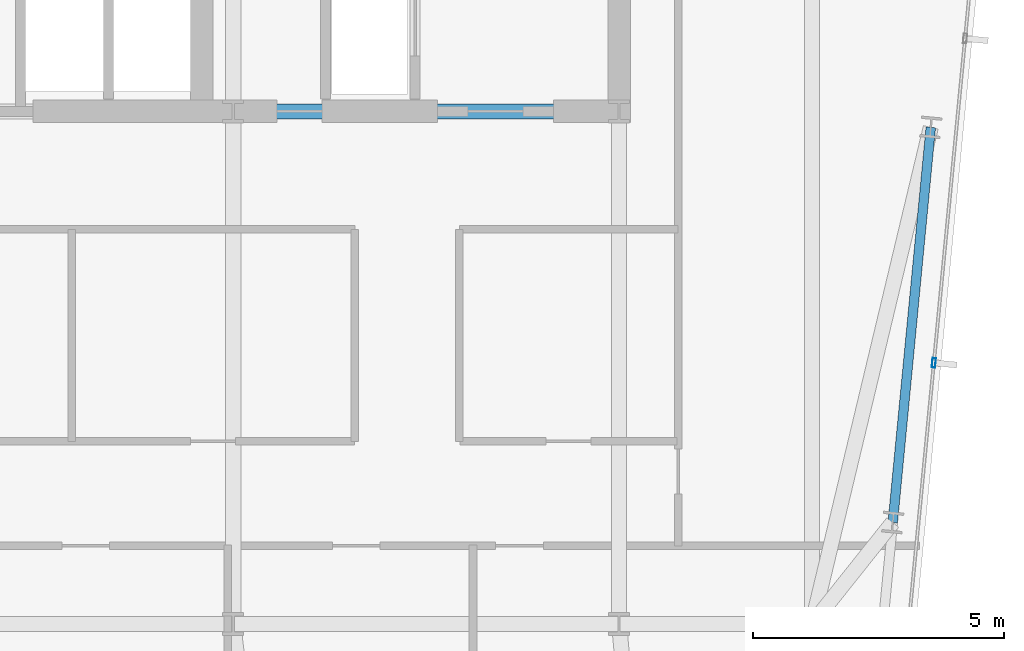
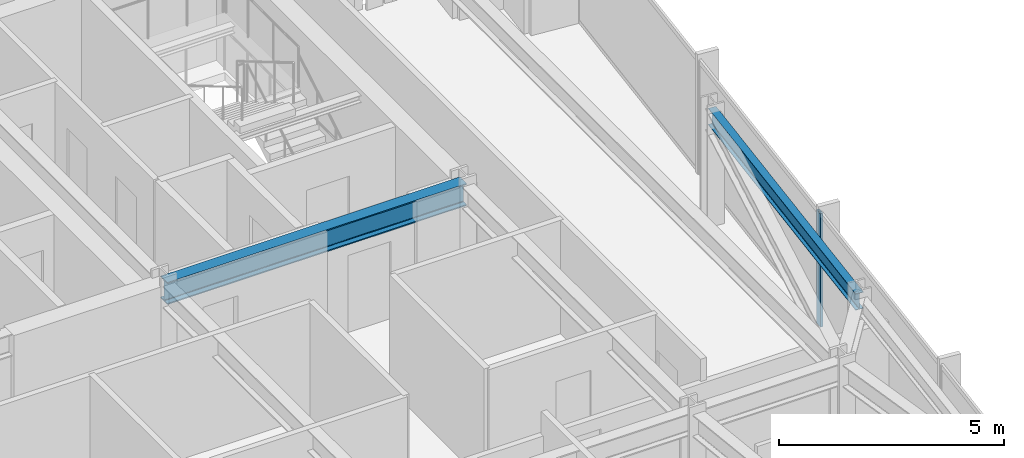
# One storey, part 18 of 37: 2 beams, 1 member, 1 element without a shape of its own.
"""IFC4 building model written with IfcOpenShell, lengths in metres."""

from ifc_helpers import new_model, si_unit, direction, frame, origin, origin_2d, place, context, subcontext, project, spatial, hollow_rectangle, i_section, extrude, material, material_profile, profile_set, type_object, element, aggregate, save


model = new_model("IFC4")

# Units and contexts
model_context = context("Model", 3, precision=1e-05, world=origin(), true_north=direction((0.0, 1.0)))
body_context = subcontext(model_context, "Body", "Model", "MODEL_VIEW")
ifc_project = project(units=[si_unit("LENGTHUNIT", "METRE"), si_unit("AREAUNIT", "SQUARE_METRE"), si_unit("VOLUMEUNIT", "CUBIC_METRE"), si_unit("PLANEANGLEUNIT", "RADIAN"), si_unit("MASSUNIT", "GRAM", prefix="KILO")], contexts=[model_context])

# Site, building, storey
site_placement = place(None, origin())
site = spatial("IfcSite", under=ifc_project, at=site_placement, CompositionType="ELEMENT")
building_placement = place(site_placement, origin())
building = spatial("IfcBuilding", under=site, at=building_placement, Name="Yelkora Congress Tower", CompositionType="ELEMENT")
storey_placement = place(building_placement, frame((0.0, 0.0, 175.39990234375)))
storey = spatial("IfcBuildingStorey", under=building, at=storey_placement, Name="L48", CompositionType="ELEMENT", Elevation=175.39990234375)

# Beams
ifc_material_1 = material(Name="Steel S355J2", Category="steel")
ifc_material_profile_1 = material_profile(ifc_material_1, i_section(OverallWidth=0.300048828125, OverallDepth=0.60009765625, WebThickness=0.015380859375, FlangeThickness=0.030029296875, FilletRadius=0.027099609375, at=origin_2d()), Name="HEB 600")
ifc_profile_set_1 = profile_set([ifc_material_profile_1], Name="Steel S355J2")
beam_type_1 = type_object("IfcBeamType", Name="BM-GIRD-HEB600", PredefinedType="BEAM", material=ifc_profile_set_1)
beam_1_placement = place(storey_placement, frame((46.080078125, 35.39990234375, 2.780029296875), z_axis=(1.0, 0.0, 0.0), x_axis=(0.0, 1.0, 0.0)))
element("IfcBeam", 1, at=beam_1_placement, inside=storey, type_object=beam_type_1, Name="L48 Core South Girder 4", PredefinedType="BEAM", context=body_context, shape_type="SweptSolid", body=[
    extrude(i_section(OverallWidth=0.300048828125, OverallDepth=0.60009765625, WebThickness=0.015380859375, FlangeThickness=0.030029296875, FilletRadius=0.027099609375, at=origin_2d()), origin(), (0.0, 0.0, 1.0), 7.679931640625),
])
ifc_material_profile_2 = material_profile(ifc_material_1, i_section(OverallWidth=0.18994140625, OverallDepth=0.449951171875, WebThickness=0.009521484375, FlangeThickness=0.0146484375, FilletRadius=0.02099609375, at=origin_2d()), Name="IPE 450")
ifc_profile_set_2 = profile_set([ifc_material_profile_2], Name="Steel S355J2")
beam_type_2 = type_object("IfcBeamType", Name="BM-SPAN-IPE450", PredefinedType="SPANDREL", material=ifc_profile_set_2)
beam_2_placement = place(storey_placement, frame((59.206298828125, 27.217529296875, 2.85498046875), z_axis=(0.095834301903, 0.99539730087, 0.0), x_axis=(-0.99539730087, 0.095834301903, 0.0)))
element("IfcBeam", 2, at=beam_2_placement, inside=storey, type_object=beam_type_2, Name="L48 Perimeter Beam 11", PredefinedType="SPANDREL", context=body_context, shape_type="SweptSolid", body=[
    extrude(i_section(OverallWidth=0.18994140625, OverallDepth=0.449951171875, WebThickness=0.009521484375, FlangeThickness=0.0146484375, FilletRadius=0.02099609375, at=origin_2d()), origin(), (0.0, 0.0, 1.0), 7.89990234375),
])

# Curtain wall, member
ifc_material_2 = material(Name="Anodised aluminium and insulated glass", Category="aluminium")
curtain_wall_type = type_object("IfcCurtainWallType", Name="CW-SYS-B3", PredefinedType="NOTDEFINED", material=ifc_material_2)
curtain_wall_placement = place(storey_placement, origin())
curtain_wall = element("IfcCurtainWall", 3, at=curtain_wall_placement, inside=storey, type_object=curtain_wall_type, Name="L48 Unitised Curtain Wall 15", PredefinedType="NOTDEFINED")
ifc_material_3 = material(Name="Anodised aluminium 6063-T6", Category="aluminium")
ifc_material_profile_3 = material_profile(ifc_material_3, hollow_rectangle(XDim=0.070068359375, YDim=0.18994140625, WallThickness=0.00390625, at=origin_2d()), Name="ALU 70x190x4")
ifc_profile_set_3 = profile_set([ifc_material_profile_3], Name="Anodised aluminium 6063-T6")
member_type = type_object("IfcMemberType", Name="MEM-ML-B3", PredefinedType="MULLION", material=ifc_profile_set_3)
member_placement = place(storey_placement, frame((60.024658203125, 30.395751953125, 0.0), z_axis=(0.0, 0.0, 1.0), x_axis=(0.995396565076, -0.095841944023, 0.0)))
member = element("IfcMember", 4, at=member_placement, type_object=member_type, Name="CW-B3 mullion 3", PredefinedType="MULLION", context=body_context, shape_type="SweptSolid", body=[
    extrude(hollow_rectangle(XDim=0.070068359375, YDim=0.18994140625, WallThickness=0.00390625, at=origin_2d()), origin(), (0.0, 0.0, 1.0), 3.080078125),
])
aggregate(curtain_wall, [member])

save(model, "model.ifc")
